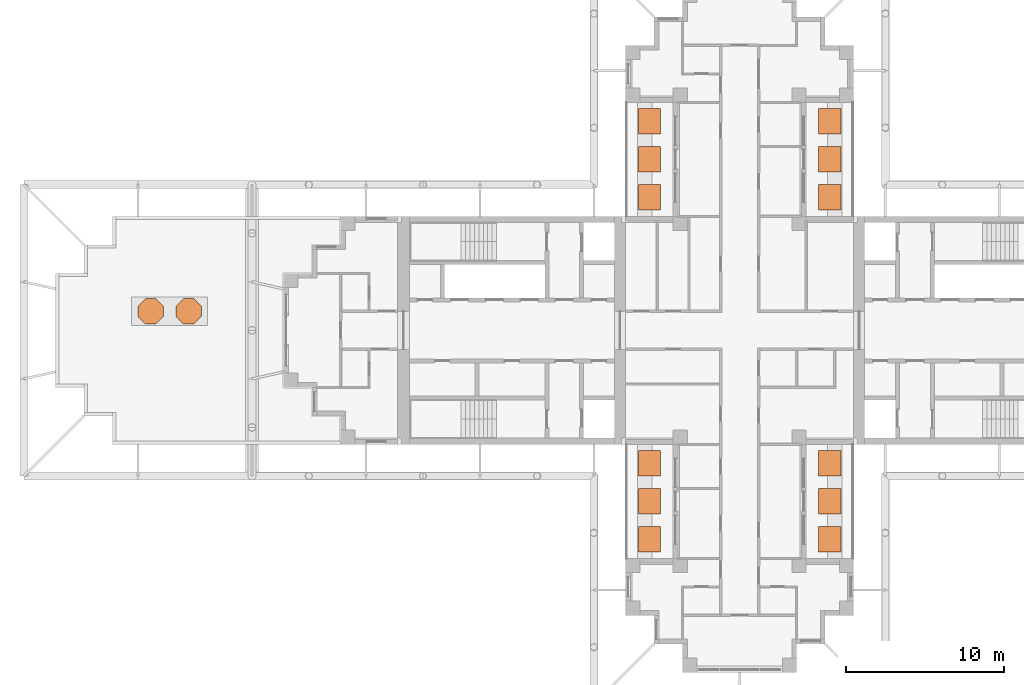
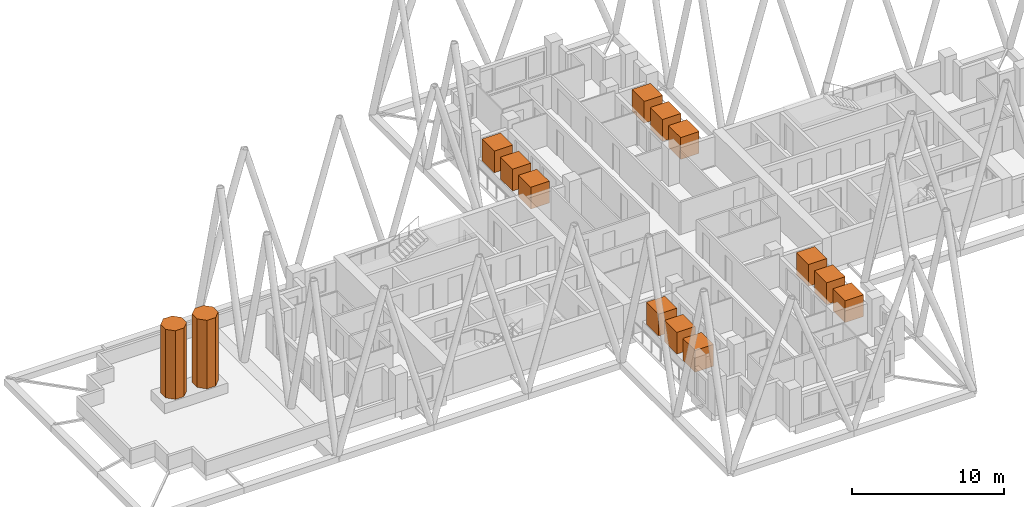
# One storey, part 11 of 11: 14 geographic elements.
"""IFC4 building model written with IfcOpenShell, lengths in metres."""

from ifc_helpers import new_model, si_unit, direction, frame, origin, origin_2d, place, context, subcontext, project, spatial, polyline, rectangle, outline, extrude, material, element, save


model = new_model("IFC4")

# Units and contexts
model_context = context("Model", 3, precision=1e-05, world=origin(), true_north=direction((0.0, 1.0)))
body_context = subcontext(model_context, "Body", "Model", "MODEL_VIEW")
ifc_project = project(units=[si_unit("LENGTHUNIT", "METRE"), si_unit("AREAUNIT", "SQUARE_METRE"), si_unit("VOLUMEUNIT", "CUBIC_METRE"), si_unit("PLANEANGLEUNIT", "RADIAN"), si_unit("MASSUNIT", "GRAM", prefix="KILO")], contexts=[model_context])

# Site, building, storey
site_placement = place(None, origin())
site = spatial("IfcSite", under=ifc_project, at=site_placement, CompositionType="ELEMENT")
building_placement = place(site_placement, origin())
building = spatial("IfcBuilding", under=site, at=building_placement, Name="Fustian Cross Tower", CompositionType="ELEMENT")
storey_placement = place(building_placement, frame((0.0, 0.0, 198.89990234375)))
storey = spatial("IfcBuildingStorey", under=building, at=storey_placement, Name="L62", CompositionType="ELEMENT", Elevation=198.89990234375)

# Geographic elements
ifc_material = material(Name="Evergreen foliage")
for number, where, z_axis, x_axis, name in (
    (1, (5.68994140625, 8.39990234375, 0.800048828125), (0.0, 0.0, 1.0), (1.0, 0.0, 0.0), "TREE field maple"),
    (2, (5.68994140625, 10.800048828125, 0.800048828125), (0.0, 0.0, 1.0), (1.0, 0.0, 0.0), "TREE field maple"),
    (3, (5.68994140625, 13.199951171875, 0.800048828125), (0.0, 0.0, 1.0), (1.0, 0.0, 0.0), "TREE field maple"),
    (4, (-5.68994140625, 8.39990234375, 0.800048828125), (0.0, 0.0, 1.0), (1.0, 0.0, 0.0), "TREE field maple"),
    (5, (-5.68994140625, 10.800048828125, 0.800048828125), (0.0, 0.0, 1.0), (1.0, 0.0, 0.0), "TREE field maple"),
    (6, (-5.68994140625, 13.199951171875, 0.800048828125), (0.0, 0.0, 1.0), (1.0, 0.0, 0.0), "TREE field maple"),
    (7, (5.68994140625, -13.199951171875, 0.800048828125), (0.0, 0.0, 1.0), (1.0, 0.0, 0.0), "TREE field maple"),
    (8, (5.68994140625, -10.800048828125, 0.800048828125), (0.0, 0.0, 1.0), (1.0, 0.0, 0.0), "TREE field maple"),
    (9, (5.68994140625, -8.39990234375, 0.800048828125), (0.0, 0.0, 1.0), (1.0, 0.0, 0.0), "TREE field maple"),
    (10, (-5.68994140625, -13.199951171875, 0.800048828125), (0.0, 0.0, 1.0), (1.0, 0.0, 0.0), "TREE field maple"),
    (11, (-5.68994140625, -10.800048828125, 0.800048828125), (0.0, 0.0, 1.0), (1.0, 0.0, 0.0), "TREE field maple"),
    (12, (-5.68994140625, -8.39990234375, 0.800048828125), (0.0, 0.0, 1.0), (1.0, 0.0, 0.0), "TREE field maple"),
):
    element("IfcGeographicElement", number, at=place(storey_placement, frame(where, z_axis=z_axis, x_axis=x_axis)), inside=storey, material=ifc_material, Name=name, ObjectType="VEGETATION", PredefinedType="USERDEFINED", context=body_context, shape_type="SweptSolid", body=[
        extrude(rectangle(XDim=1.39990234375, YDim=1.60009765625, at=origin_2d()), origin(), (0.0, 0.0, 1.0), 1.75),
    ])
geographic_element_1_placement = place(storey_placement, frame((0.0, 0.0, 0.800048828125)))
element("IfcGeographicElement", 13, at=geographic_element_1_placement, inside=storey, material=ifc_material, Name="TREE L6211", ObjectType="VEGETATION", PredefinedType="USERDEFINED", context=body_context, shape_type="SweptSolid", body=[
    extrude(outline(polyline([(-36.39990234375, 1.53125), (-36.86865234375, 2.0), (-37.53125, 2.0), (-38.0, 1.53125), (-38.0, 0.86865234375), (-37.53125, 0.39990234375), (-36.86865234375, 0.39990234375), (-36.39990234375, 0.86865234375), (-36.39990234375, 1.53125)])), origin(), (0.0, 0.0, 1.0), 5.5),
])
geographic_element_2_placement = place(storey_placement, frame((0.0, 0.0, 0.800048828125)))
element("IfcGeographicElement", 14, at=geographic_element_2_placement, inside=storey, material=ifc_material, Name="TREE L6212", ObjectType="VEGETATION", PredefinedType="USERDEFINED", context=body_context, shape_type="SweptSolid", body=[
    extrude(outline(polyline([(-34.0, 1.53125), (-34.46875, 2.0), (-35.13134765625, 2.0), (-35.60009765625, 1.53125), (-35.60009765625, 0.86865234375), (-35.13134765625, 0.39990234375), (-34.46875, 0.39990234375), (-34.0, 0.86865234375), (-34.0, 1.53125)])), origin(), (0.0, 0.0, 1.0), 5.5),
])

save(model, "model.ifc")
